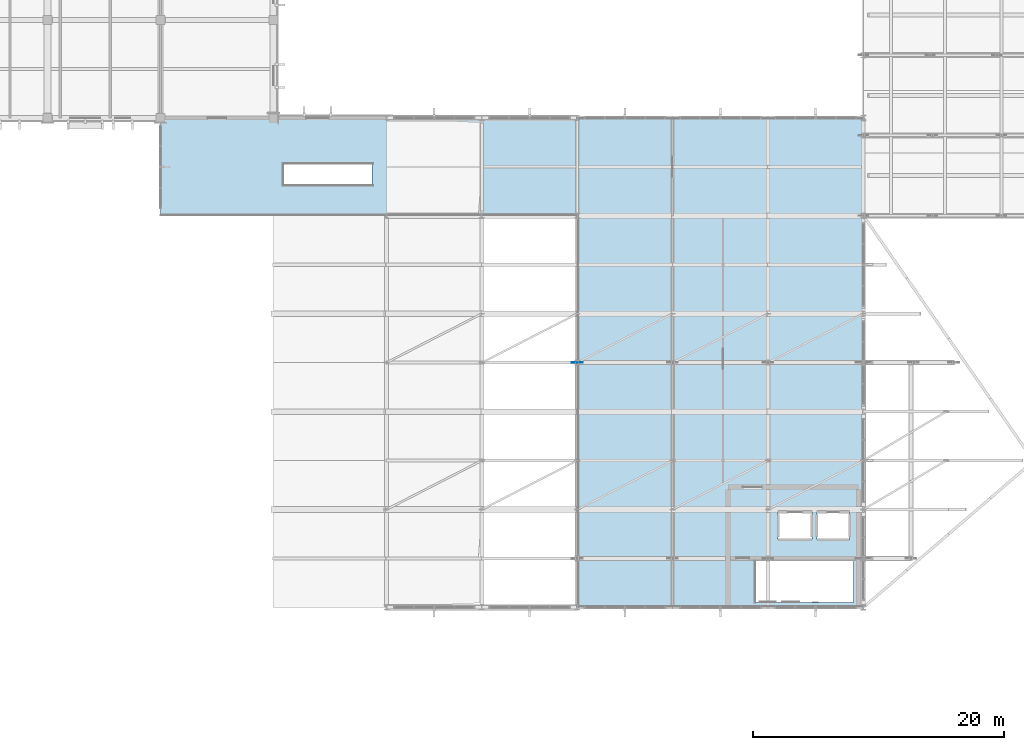
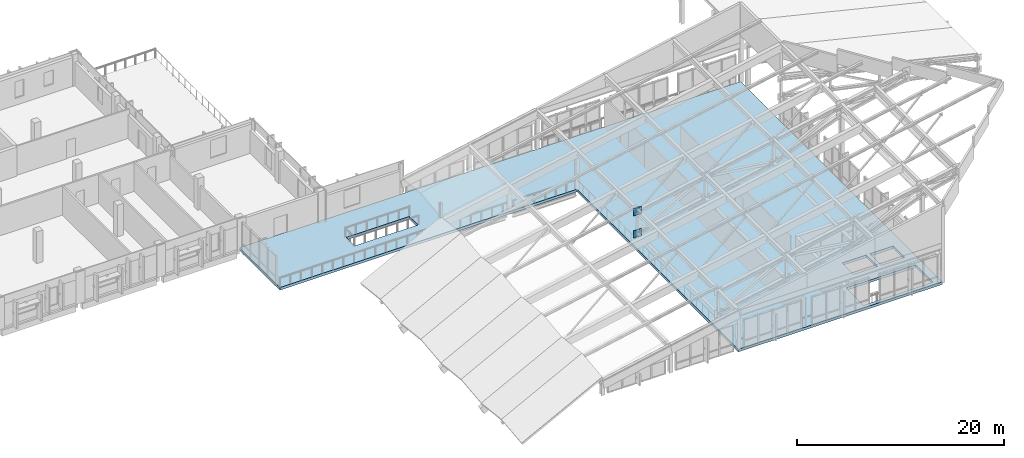
# One storey, part 38 of 73: 2 plates, 1 slab.
"""IFC4 building model written with IfcOpenShell, lengths in metres."""

import ifcopenshell
import ifcopenshell.guid

model = None  # the IFC model being written
_history = None  # IfcOwnerHistory: only IFC2X3 demands one
_inside = {}  # id of a spatial element -> (the spatial element, [elements in it])
_under = {}  # id of a project, library or spatial element -> (it, [spatial elements below it])
_declared = {}  # id of a project -> (the project, [libraries it declares])
_typed = {}  # id of a type object -> (the type object, [elements of that type])
_made_of = {}  # id of a material, layer set ... -> (it, [elements and type objects made of it])


def new_model(schema):
    """Start an empty IFC model of exactly this schema.

    Asked for "IFC4X3", IfcOpenShell would pick the latest addendum, in which some entities
    have other attributes; the version numbers below select the first issue.
    IFC2X3 requires an IfcOwnerHistory on every rooted entity: one is made here for all.
    """
    global model, _history
    if schema == "IFC4X3":
        model = ifcopenshell.file(schema_version=(4, 3, 0, 0))
    else:
        model = ifcopenshell.file(schema=schema)
    _inside.clear()
    _under.clear()
    _declared.clear()
    _typed.clear()
    _made_of.clear()
    _history = None
    if model.schema == "IFC2X3":
        org = make("IfcOrganization", Name="unknown")
        user = make(
            "IfcPersonAndOrganization",
            ThePerson=make("IfcPerson", FamilyName="unknown"),
            TheOrganization=org,
        )
        app = make(
            "IfcApplication",
            ApplicationDeveloper=org,
            Version="unknown",
            ApplicationFullName="unknown",
            ApplicationIdentifier="unknown",
        )
        _history = make(
            "IfcOwnerHistory",
            OwningUser=user,
            OwningApplication=app,
            ChangeAction="ADDED",
            CreationDate=0,
        )
    return model


def make(cls, **values):
    """One entity of the class cls with the attributes given. An attribute that is None is left unset."""
    return model.create_entity(
        cls, **{name: value for name, value in values.items() if value is not None}
    )


def rooted(cls, **values):
    """An entity with a GlobalId (a new one), such as an element, a storey or a relation."""
    return make(cls, GlobalId=ifcopenshell.guid.new(), OwnerHistory=_history, **values)


def si_unit(unit_type, name, prefix=None):
    """IfcSIUnit, for example si_unit("LENGTHUNIT", "METRE", prefix="MILLI")."""
    return make("IfcSIUnit", UnitType=unit_type, Prefix=prefix, Name=name)


def assignment(units):
    """IfcUnitAssignment: the units of a project."""
    return None if units is None else make("IfcUnitAssignment", Units=units)


def point(xyz):
    """IfcCartesianPoint."""
    return None if xyz is None else make("IfcCartesianPoint", Coordinates=xyz)


def direction(xyz):
    """IfcDirection."""
    return None if xyz is None else make("IfcDirection", DirectionRatios=xyz)


def frame(location, z_axis=None, x_axis=None):
    """IfcAxis2Placement3D, a coordinate frame: its origin and axes. An axis left out is left unset."""
    return make(
        "IfcAxis2Placement3D",
        Location=point(location),
        Axis=direction(z_axis),
        RefDirection=direction(x_axis),
    )


def frame_2d(location, x_axis=None):
    """IfcAxis2Placement2D, a coordinate frame in the plane: its origin and x axis."""
    return make(
        "IfcAxis2Placement2D", Location=point(location), RefDirection=direction(x_axis)
    )


def origin():
    """The frame at (0, 0, 0) with its axes left unset."""
    return frame((0.0, 0.0, 0.0))


def origin_2d():
    """The frame at (0, 0) in the plane with its x axis left unset."""
    return frame_2d((0.0, 0.0))


def place(relative_to, where):
    """IfcLocalPlacement: puts the frame where relative to a parent placement (None: the world)."""
    return make(
        "IfcLocalPlacement", PlacementRelTo=relative_to, RelativePlacement=where
    )


def context(
    kind, dimensions, precision=None, world=None, true_north=None, identifier=None
):
    """IfcGeometricRepresentationContext, for example the 3D "Model" context."""
    return make(
        "IfcGeometricRepresentationContext",
        ContextIdentifier=identifier,
        ContextType=kind,
        CoordinateSpaceDimension=dimensions,
        Precision=precision,
        WorldCoordinateSystem=world,
        TrueNorth=true_north,
    )


def subcontext(parent, identifier, kind, view, scale=None):
    """IfcGeometricRepresentationSubContext, for example "Body" below "Model"."""
    return make(
        "IfcGeometricRepresentationSubContext",
        ContextIdentifier=identifier,
        ContextType=kind,
        ParentContext=parent,
        TargetScale=scale,
        TargetView=view,
    )


def project(units=None, contexts=None):
    """IfcProject with its units and contexts."""
    return rooted(
        "IfcProject",
        Name="project",
        RepresentationContexts=contexts,
        UnitsInContext=assignment(units),
    )


def spatial(cls, under=None, at=None, **own):
    """A site, building, storey or space (cls), placed at a placement, below another one or the project."""
    s = rooted(cls, ObjectPlacement=at, **own)
    if under is not None:
        _under.setdefault(under.id(), (under, []))[1].append(s)
    return s


def polyline(points):
    """IfcPolyline through the points."""
    return make("IfcPolyline", Points=[point(p) for p in points])


def profile(cls, at=None, kind="AREA", **sizes):
    """A parametric profile (cls). Its sizes go by their IFC names, for example OverallWidth=200.0."""
    return make(cls, ProfileType=kind, Position=at, **sizes)


def rectangle(**sizes):
    """IfcRectangleProfileDef."""
    return profile("IfcRectangleProfileDef", **sizes)


def outline(outer, holes=None, kind="AREA"):
    """IfcArbitraryClosedProfileDef: a profile drawn as a closed curve; with holes, ...WithVoids."""
    if holes is None:
        return make("IfcArbitraryClosedProfileDef", ProfileType=kind, OuterCurve=outer)
    return make(
        "IfcArbitraryProfileDefWithVoids",
        ProfileType=kind,
        OuterCurve=outer,
        InnerCurves=holes,
    )


def extrude(swept, where, along, depth):
    """IfcExtrudedAreaSolid: the profile swept, set in the frame where, extruded along a direction by depth."""
    return make(
        "IfcExtrudedAreaSolid",
        SweptArea=swept,
        Position=where,
        ExtrudedDirection=direction(along),
        Depth=depth,
    )


def shape(context_of_items, identifier, shape_type, items):
    """IfcShapeRepresentation: the items that make up one representation, for example the "Body"."""
    return make(
        "IfcShapeRepresentation",
        ContextOfItems=context_of_items,
        RepresentationIdentifier=identifier,
        RepresentationType=shape_type,
        Items=items,
    )


def material(Name=None, Category=None):
    """IfcMaterial."""
    return make("IfcMaterial", Name=Name, Category=Category)


def layer(
    of_material, thickness, ventilated=None, Name=None, Category=None, Priority=None
):
    """IfcMaterialLayer: one layer of a wall or slab, of a material (None: an air gap)."""
    return make(
        "IfcMaterialLayer",
        Material=of_material,
        LayerThickness=thickness,
        IsVentilated=ventilated,
        Name=Name,
        Category=Category,
        Priority=Priority,
    )


def layer_set(layers, Name=None):
    """IfcMaterialLayerSet."""
    return make("IfcMaterialLayerSet", MaterialLayers=layers, LayerSetName=Name)


def made_of(thing, what):
    """Note that an element or type object is made of a material, layer set ...; save() writes the relation."""
    if what is not None:
        _made_of.setdefault(what.id(), (what, []))[1].append(thing)
    return thing


def type_object(cls, material=None, **own):
    """A type object (cls), such as IfcWallType, which elements share."""
    return made_of(rooted(cls, **own), material)


def element(
    cls,
    number,
    at=None,
    inside=None,
    cuts=None,
    type_object=None,
    material=None,
    context=None,
    identifier="Body",
    shape_type=None,
    held_by="IfcProductDefinitionShape",
    body=None,
    shapes=None,
    **own,
):
    """One element of the class cls, such as IfcWall. Its Tag is "e" and its number.

    at: its placement. inside: the storey or other place that contains it. cuts: it is an
    opening in that element (IfcRelVoidsElement). A single representation is given by context,
    identifier, shape_type and body (its items); several are given by shapes. held_by: the class
    of the entity that holds the representations. save() writes the other relations.
    """
    e = rooted(cls, Tag="e%d" % number, ObjectPlacement=at, **own)
    if body is not None:
        shapes = [shape(context, identifier, shape_type, body)]
    if shapes is not None:
        e.Representation = make(held_by, Representations=shapes)
    if inside is not None:
        _inside.setdefault(inside.id(), (inside, []))[1].append(e)
    if cuts is not None:
        rooted(
            "IfcRelVoidsElement", RelatingBuildingElement=cuts, RelatedOpeningElement=e
        )
    if type_object is not None:
        _typed.setdefault(type_object.id(), (type_object, []))[1].append(e)
    return made_of(e, material)


def aggregate(whole, parts):
    """IfcRelAggregates: a whole, such as a stair, and the parts it consists of."""
    return rooted("IfcRelAggregates", RelatingObject=whole, RelatedObjects=parts)


def save(model, path):
    """Write the relations noted so far, then the file.

    IfcRelAggregates (storeys below a building ...), IfcRelContainedInSpatialStructure (elements
    in a storey), IfcRelDefinesByType, IfcRelAssociatesMaterial and IfcRelDeclares: one each for
    every whole, place, type object, material and project.
    """
    for whole, parts in _under.values():
        aggregate(whole, parts)
    for where, things in _inside.values():
        rooted(
            "IfcRelContainedInSpatialStructure",
            RelatedElements=things,
            RelatingStructure=where,
        )
    for kind, things in _typed.values():
        rooted("IfcRelDefinesByType", RelatedObjects=things, RelatingType=kind)
    for what, things in _made_of.values():
        rooted("IfcRelAssociatesMaterial", RelatedObjects=things, RelatingMaterial=what)
    for by, libraries in _declared.values():
        rooted("IfcRelDeclares", RelatingContext=by, RelatedDefinitions=libraries)
    model.write(path)


model = new_model("IFC4")

# Units and contexts
model_context = context("Model", 3, precision=1e-05, world=origin(), true_north=direction((0.0, 1.0)))
body_context = subcontext(model_context, "Body", "Model", "MODEL_VIEW")
ifc_project = project(units=[si_unit("LENGTHUNIT", "METRE"), si_unit("AREAUNIT", "SQUARE_METRE"), si_unit("VOLUMEUNIT", "CUBIC_METRE"), si_unit("PLANEANGLEUNIT", "RADIAN"), si_unit("MASSUNIT", "GRAM", prefix="KILO")], contexts=[model_context])

# Site, building, storey
site_placement = place(None, origin())
site = spatial("IfcSite", under=ifc_project, at=site_placement, CompositionType="ELEMENT")
building_placement = place(site_placement, origin())
building = spatial("IfcBuilding", under=site, at=building_placement, Name="Vervanel Yard Central Library", CompositionType="ELEMENT")
storey_placement = place(building_placement, frame((0.0, 0.0, 12.780029296875)))
storey = spatial("IfcBuildingStorey", under=building, at=storey_placement, Name="L03", CompositionType="ELEMENT", Elevation=12.780029296875)

# Plates
ifc_material_1 = material(Name="Steel ASTM A572 Grade 50", Category="steel")
ifc_layer_1 = layer(ifc_material_1, 0.031982421875, Category="steel")
ifc_layer_set_1 = layer_set([ifc_layer_1], Name="Steel ASTM A572 Grade 50")
plate_type = type_object("IfcPlateType", Name="Prow Truss Node Cap Plate 32", PredefinedType="SHEET", material=ifc_layer_set_1)
for number, where, z_axis, x_axis, name in (
    (1, (123.199951171875, 62.699951171875, 4.089111328125), (0.0, 0.0, 1.0), (1.0, 0.0, 0.0), "Prow Truss N Node 1 TOP Gusset Plate"),
    (2, (123.199951171875, 62.699951171875, 1.489013671875), (0.0, 0.0, 1.0), (1.0, 0.0, 0.0), "Prow Truss N Node 1 BOT Gusset Plate"),
):
    element("IfcPlate", number, at=place(storey_placement, frame(where, z_axis=z_axis, x_axis=x_axis)), inside=storey, type_object=plate_type, Name=name, PredefinedType="SHEET", context=body_context, shape_type="SweptSolid", body=[
        extrude(rectangle(XDim=0.85009765625, YDim=0.031982421875, at=origin_2d()), origin(), (0.0, 0.0, 1.0), 0.85009765625),
    ])

# Slab
ifc_material_2 = material(Name="Concrete C45/55", Category="concrete")
ifc_layer_2 = layer(ifc_material_2, 0.31005859375, Category="concrete")
ifc_layer_set_2 = layer_set([ifc_layer_2], Name="Concrete C45/55")
slab_type = type_object("IfcSlabType", Name="Prow Upper Reading Gallery Slab 310", PredefinedType="FLOOR", material=ifc_layer_set_2)
slab_placement = place(storey_placement, frame((0.0, 0.0, -0.31005859375)))
element("IfcSlab", 3, at=slab_placement, inside=storey, type_object=slab_type, Name="L03 V3 Prow Upper Reading Gallery Slab 310", PredefinedType="FLOOR", context=body_context, shape_type="SweptSolid", body=[
    extrude(outline(polyline([(123.199951171875, 43.199951171875), (146.0, 43.199951171875), (146.0, 82.199951171875), (90.0, 82.199951171875), (90.0, 74.39990234375), (123.199951171875, 74.39990234375), (123.199951171875, 43.199951171875)]), holes=[polyline([(137.43505859375, 43.60009765625), (145.199951171875, 43.60009765625), (145.199951171875, 46.9599609375), (137.43505859375, 46.9599609375), (137.43505859375, 43.60009765625)]), polyline([(139.199951171875, 48.60009765625), (141.89990234375, 48.60009765625), (141.89990234375, 50.800048828125), (139.199951171875, 50.800048828125), (139.199951171875, 48.60009765625)]), polyline([(142.300048828125, 48.60009765625), (144.89990234375, 48.60009765625), (144.89990234375, 50.800048828125), (142.300048828125, 50.800048828125), (142.300048828125, 48.60009765625)]), polyline([(99.800048828125, 76.8798828125), (106.864990234375, 76.8798828125), (106.864990234375, 78.52001953125), (99.800048828125, 78.52001953125), (99.800048828125, 76.8798828125)])]), origin(), (0.0, 0.0, 1.0), 0.31005859375),
])

save(model, "model.ifc")
